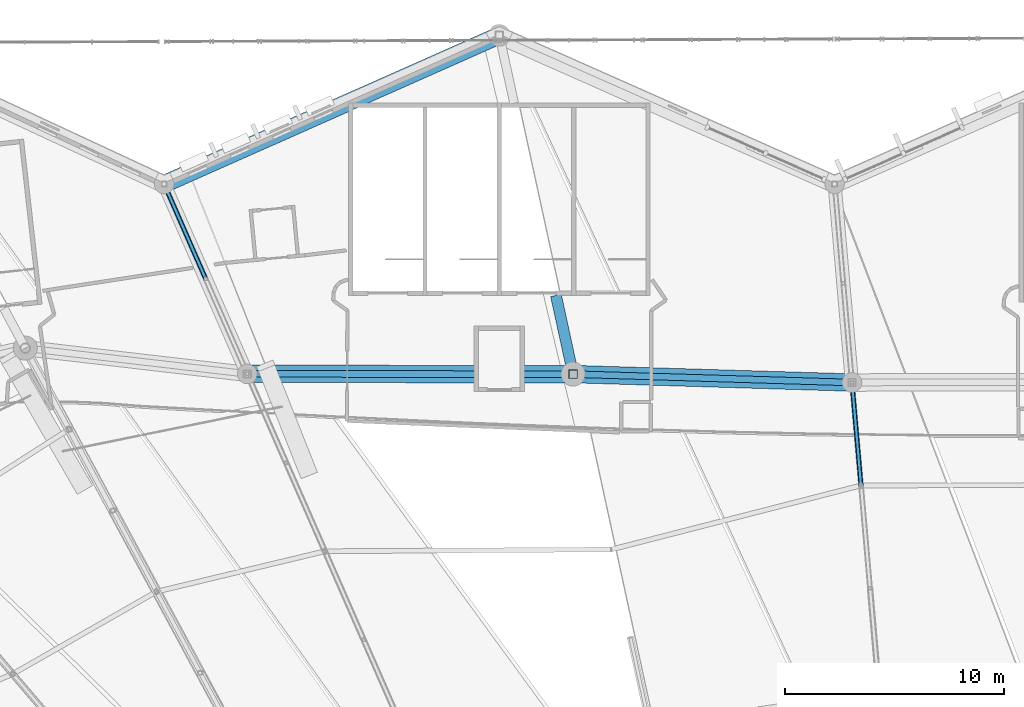
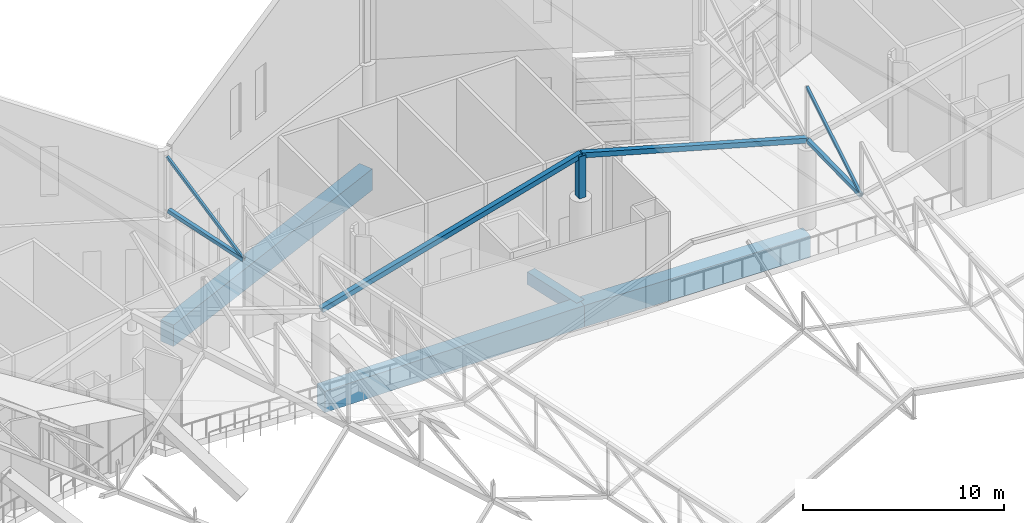
# One storey, part 164 of 344: 7 members, 4 beams.
"""IFC4 building model written with IfcOpenShell, lengths in metres."""

from ifc_helpers import new_model, si_unit, direction, frame, origin, origin_2d, place, context, subcontext, project, spatial, rectangle, hollow_rectangle, extrude, material, material_profile, profile_set, type_object, element, save


model = new_model("IFC4")

# Units and contexts
model_context = context("Model", 3, precision=1e-05, world=origin(), true_north=direction((0.0, 1.0)))
body_context = subcontext(model_context, "Body", "Model", "MODEL_VIEW")
ifc_project = project(units=[si_unit("LENGTHUNIT", "METRE"), si_unit("AREAUNIT", "SQUARE_METRE"), si_unit("VOLUMEUNIT", "CUBIC_METRE"), si_unit("PLANEANGLEUNIT", "RADIAN"), si_unit("MASSUNIT", "GRAM", prefix="KILO")], contexts=[model_context])

# Site, building, storey
site_placement = place(None, origin())
site = spatial("IfcSite", under=ifc_project, at=site_placement, CompositionType="ELEMENT")
building_placement = place(site_placement, origin())
building = spatial("IfcBuilding", under=site, at=building_placement, Name="Meseta Stadium", CompositionType="ELEMENT")
storey_placement = place(building_placement, frame((0.0, 0.0, 24.0)))
storey = spatial("IfcBuildingStorey", under=building, at=storey_placement, Name="L04", CompositionType="ELEMENT", Elevation=24.0)

# Beams
ifc_material_1 = material(Name="Concrete C40/50", Category="concrete")
ifc_material_profile_1 = material_profile(ifc_material_1, rectangle(XDim=0.5, YDim=0.75, at=origin_2d()), Name="RC 500x750")
ifc_profile_set_1 = profile_set([ifc_material_profile_1], Name="Concrete C40/50")
beam_type_1 = type_object("IfcBeamType", Name="RC beam 500x750", PredefinedType="BEAM", material=ifc_profile_set_1)
beam_1_placement = place(storey_placement, frame((-19.62744140625, 89.90380859375, -0.77490234375), z_axis=(-0.212671990307, 0.977123648541, 0.0), x_axis=(-0.977123648541, -0.212671990307, 0.0)))
element("IfcBeam", 1, at=beam_1_placement, inside=storey, type_object=beam_type_1, Name="L04 radial beam frame 20 line P to R", PredefinedType="BEAM", context=body_context, shape_type="SweptSolid", body=[
    extrude(rectangle(XDim=0.5, YDim=0.75, at=origin_2d()), origin(), (0.0, 0.0, 1.0), 3.680419921875),
])
ifc_material_2 = material(Name="Concrete C40/50", Category="concrete")
ifc_material_profile_2 = material_profile(ifc_material_2, rectangle(XDim=0.800048828125, YDim=1.300048828125, at=origin_2d()), Name="RC 800x1300")
ifc_profile_set_2 = profile_set([ifc_material_profile_2], Name="Concrete C40/50")
beam_type_2 = type_object("IfcBeamType", Name="RC beam 800x1300", PredefinedType="BEAM", material=ifc_profile_set_2)
beam_2_placement = place(storey_placement, frame((-6.87060546875, 89.517822265625, -1.050048828125), z_axis=(-0.999542564532, 0.030243374311, 0.0), x_axis=(-0.030243374311, -0.999542564532, 0.0)))
element("IfcBeam", 2, at=beam_2_placement, inside=storey, type_object=beam_type_2, Name="L04 ring beam frame 19 line P", PredefinedType="BEAM", context=body_context, shape_type="SweptSolid", body=[
    extrude(rectangle(XDim=0.800048828125, YDim=1.300048828125, at=origin_2d()), origin(), (0.0, 0.0, 1.0), 12.7626953125),
])
beam_3_placement = place(storey_placement, frame((-19.62744140625, 89.90380859375, -1.050048828125), z_axis=(-0.999999853879, 0.000540593591, 0.0), x_axis=(-0.000540593591, -0.999999853879, 0.0)))
element("IfcBeam", 3, at=beam_3_placement, inside=storey, type_object=beam_type_2, Name="L04 ring beam frame 20 line P", PredefinedType="BEAM", context=body_context, shape_type="SweptSolid", body=[
    extrude(rectangle(XDim=0.800048828125, YDim=1.300048828125, at=origin_2d()), origin(), (0.0, 0.0, 1.0), 14.9033203125),
])
beam_4_placement = place(storey_placement, frame((-23.0, 105.39990234375, -1.050048828125), z_axis=(-0.914142564088, -0.405392861953, 0.0), x_axis=(0.405392861953, -0.914142564088, 0.0)))
element("IfcBeam", 4, at=beam_4_placement, inside=storey, type_object=beam_type_2, Name="L04 ring beam frame 20 line R", PredefinedType="BEAM", context=body_context, shape_type="SweptSolid", body=[
    extrude(rectangle(XDim=0.800048828125, YDim=1.300048828125, at=origin_2d()), origin(), (0.0, 0.0, 1.0), 16.7734375),
])

# Members
ifc_material_3 = material(Name="Steel S355", Category="steel")
ifc_material_profile_3 = material_profile(ifc_material_3, hollow_rectangle(XDim=0.139892578125, YDim=0.139892578125, WallThickness=0.0048828125, at=origin_2d()), Name="SHS 140x140x5")
ifc_profile_set_3 = profile_set([ifc_material_profile_3], Name="Steel S355")
member_type_1 = type_object("IfcMemberType", Name="SHS 140x140x5 diagonal", PredefinedType="BRACE", material=ifc_profile_set_3)
member_1_placement = place(storey_placement, frame((-6.458251953125, 84.810546875, 4.524169921875), z_axis=(-0.067423184498, 0.769222733906, 0.635413644672), x_axis=(-0.996180639476, -0.087316284462, 0.0)))
element("IfcMember", 5, at=member_1_placement, inside=storey, type_object=member_type_1, Name="ROOF TRUSS RT-19 diagonal", PredefinedType="BRACE", context=body_context, shape_type="SweptSolid", body=[
    extrude(hollow_rectangle(XDim=0.139892578125, YDim=0.139892578125, WallThickness=0.0048828125, at=origin_2d()), origin(), (0.0, 0.0, 1.0), 6.11962890625),
])
member_2_placement = place(storey_placement, frame((-36.43212890625, 94.255859375, 5.408203125), z_axis=(-0.297933155982, 0.68080423495, 0.669134835621), x_axis=(-0.916117155424, -0.400910660295, 0.0)))
element("IfcMember", 6, at=member_2_placement, inside=storey, type_object=member_type_1, Name="ROOF TRUSS RT-21 diagonal", PredefinedType="BRACE", context=body_context, shape_type="SweptSolid", body=[
    extrude(hollow_rectangle(XDim=0.139892578125, YDim=0.139892578125, WallThickness=0.0048828125, at=origin_2d()), origin(), (0.0, 0.0, 1.0), 6.381103515625),
])
ifc_material_4 = material(Name="Steel S355", Category="steel")
ifc_material_profile_4 = material_profile(ifc_material_4, hollow_rectangle(XDim=0.219970703125, YDim=0.219970703125, WallThickness=0.008056640625, at=origin_2d()), Name="SHS 220x220x8")
ifc_profile_set_4 = profile_set([ifc_material_profile_4], Name="Steel S355")
member_type_2 = type_object("IfcMemberType", Name="SHS 220x220x8 bottom chord", PredefinedType="CHORD", material=ifc_profile_set_4)
member_3_placement = place(storey_placement, frame((-6.458251953125, 84.810546875, 4.524169921875), z_axis=(-0.086403995476, 0.985772447789, 0.144177081208), x_axis=(-0.996180639476, -0.087316284462, 0.0)))
element("IfcMember", 7, at=member_3_placement, inside=storey, type_object=member_type_2, Name="ROOF TRUSS RT-19 bottom chord", PredefinedType="CHORD", context=body_context, shape_type="SweptSolid", body=[
    extrude(hollow_rectangle(XDim=0.219970703125, YDim=0.219970703125, WallThickness=0.008056640625, at=origin_2d()), origin(), (0.0, 0.0, 1.0), 4.775146484375),
])
member_4_placement = place(storey_placement, frame((-36.43212890625, 94.255859375, 5.408203125), z_axis=(-0.391096186759, 0.893647849682, 0.220084741544), x_axis=(-0.9161101781, -0.400926603733, 0.0)))
element("IfcMember", 8, at=member_4_placement, inside=storey, type_object=member_type_2, Name="ROOF TRUSS RT-21 bottom chord", PredefinedType="CHORD", context=body_context, shape_type="SweptSolid", body=[
    extrude(hollow_rectangle(XDim=0.219970703125, YDim=0.219970703125, WallThickness=0.008056640625, at=origin_2d()), origin(), (0.0, 0.0, 1.0), 4.751220703125),
])
ifc_material_5 = material(Name="Steel S355", Category="steel")
ifc_material_profile_5 = material_profile(ifc_material_5, hollow_rectangle(XDim=0.300048828125, YDim=0.300048828125, WallThickness=0.010009765625, at=origin_2d()), Name="SHS 300x300x10")
ifc_profile_set_5 = profile_set([ifc_material_profile_5], Name="Steel S355")
member_type_3 = type_object("IfcMemberType", Name="SHS 300x300x10 pivot strut", PredefinedType="STRUT", material=ifc_profile_set_5)
member_5_placement = place(storey_placement, frame((-6.870849609375, 89.517822265625, 5.212646484375), z_axis=(-0.967165295767, 0.029264288389, 0.252457703565), x_axis=(-0.030243952592, -0.999542547034, 0.0)))
element("IfcMember", 9, at=member_5_placement, inside=storey, type_object=member_type_3, Name="ROOF PIVOT STRUT RT-19/20", PredefinedType="STRUT", context=body_context, shape_type="SweptSolid", body=[
    extrude(hollow_rectangle(XDim=0.300048828125, YDim=0.300048828125, WallThickness=0.010009765625, at=origin_2d()), origin(), (0.0, 0.0, 1.0), 13.189697265625),
])
member_6_placement = place(storey_placement, frame((-19.62744140625, 89.90380859375, 8.54248046875), z_axis=(-0.962435285629, 0.000520286423, -0.271510681702), x_axis=(-0.000540593591, -0.999999853879, 0.0)))
element("IfcMember", 10, at=member_6_placement, inside=storey, type_object=member_type_3, Name="ROOF PIVOT STRUT RT-20/21", PredefinedType="STRUT", context=body_context, shape_type="SweptSolid", body=[
    extrude(hollow_rectangle(XDim=0.300048828125, YDim=0.300048828125, WallThickness=0.010009765625, at=origin_2d()), origin(), (0.0, 0.0, 1.0), 15.485107421875),
])
ifc_material_6 = material(Name="Steel S355", Category="steel")
ifc_material_profile_6 = material_profile(ifc_material_6, hollow_rectangle(XDim=0.39990234375, YDim=0.39990234375, WallThickness=0.01416015625, at=origin_2d()), Name="SHS 400x400x14.2")
ifc_profile_set_6 = profile_set([ifc_material_profile_6], Name="Steel S355")
member_type_4 = type_object("IfcMemberType", Name="SHS 400x400x14.2 pedestal", PredefinedType="POST", material=ifc_profile_set_6)
member_7_placement = place(storey_placement, frame((-19.62744140625, 89.90380859375, 6.0), z_axis=(0.0, 0.0, 1.0), x_axis=(1.0, 0.0, 0.0)))
element("IfcMember", 11, at=member_7_placement, inside=storey, type_object=member_type_4, Name="ROOF TRUSS RT-20 pedestal", PredefinedType="POST", context=body_context, shape_type="SweptSolid", body=[
    extrude(hollow_rectangle(XDim=0.39990234375, YDim=0.39990234375, WallThickness=0.01416015625, at=origin_2d()), origin(), (0.0, 0.0, 1.0), 2.54248046875),
])

save(model, "model.ifc")
